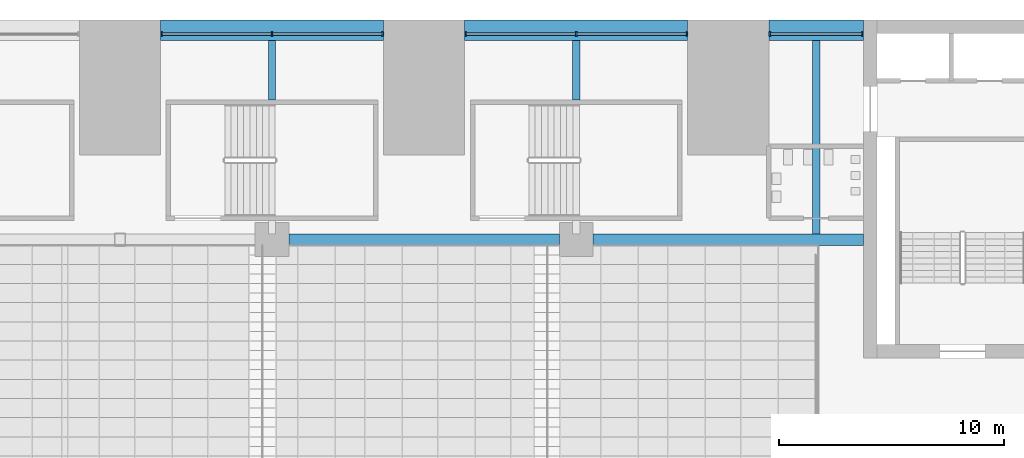
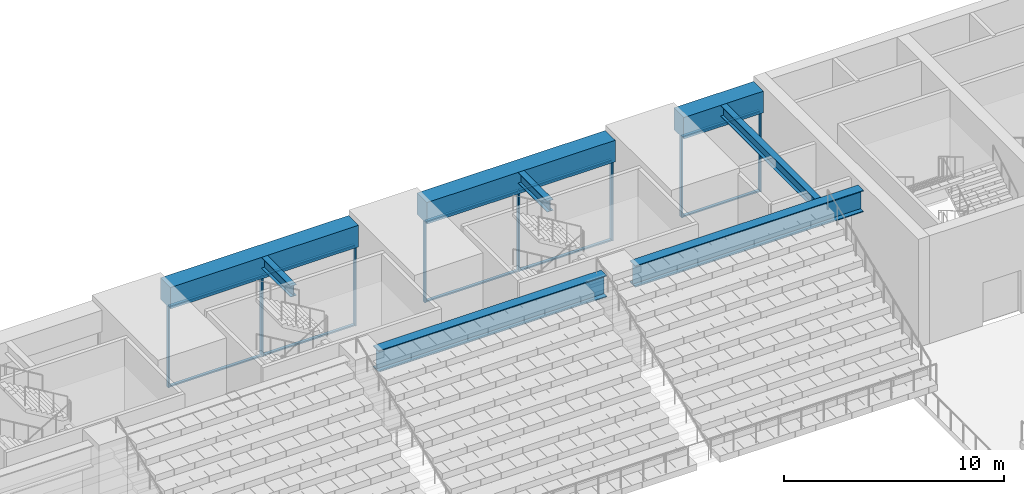
# One storey, part 11 of 61: 18 members, 8 beams, 3 elements without a shape of their own.
"""IFC4 building model written with IfcOpenShell, lengths in metres."""

from ifc_helpers import new_model, si_unit, direction, frame, origin, origin_2d, place, context, subcontext, project, spatial, rectangle, i_section, extrude, material, layer, layer_set, material_profile, profile_set, type_object, element, aggregate, save


model = new_model("IFC4")

# Units and contexts
model_context = context("Model", 3, precision=1e-05, world=origin(), true_north=direction((0.0, 1.0)))
body_context = subcontext(model_context, "Body", "Model", "MODEL_VIEW")
ifc_project = project(units=[si_unit("LENGTHUNIT", "METRE"), si_unit("AREAUNIT", "SQUARE_METRE"), si_unit("VOLUMEUNIT", "CUBIC_METRE"), si_unit("PLANEANGLEUNIT", "RADIAN"), si_unit("MASSUNIT", "GRAM", prefix="KILO")], contexts=[model_context])

# Site, building, storey
site_placement = place(None, origin())
site = spatial("IfcSite", under=ifc_project, at=site_placement, CompositionType="ELEMENT")
building_placement = place(site_placement, origin())
building = spatial("IfcBuilding", under=site, at=building_placement, Name="Corbelhall Arena Tower", CompositionType="ELEMENT")
storey_placement = place(building_placement, frame((0.0, 0.0, 31.0)))
storey = spatial("IfcBuildingStorey", under=building, at=storey_placement, Name="L04", CompositionType="ELEMENT", Elevation=31.0)

# Curtain wall, members
ifc_material_1 = material(Name="Aluminium black anodised", Category="aluminium")
ifc_layer = layer(ifc_material_1, 0.239990234375)
ifc_layer_set = layer_set([ifc_layer], Name="EV-CW4 Arena concourse glazing")
curtain_wall_type = type_object("IfcCurtainWallType", Name="EV-CW4 Arena concourse glazing", PredefinedType="NOTDEFINED", material=ifc_layer_set)
curtain_wall_1_placement = place(storey_placement, origin())
curtain_wall_1 = element("IfcCurtainWall", 1, at=curtain_wall_1_placement, inside=storey, type_object=curtain_wall_type, Name="Curtain wall CW4A", PredefinedType="NOTDEFINED")
ifc_material_profile_1 = material_profile(ifc_material_1, rectangle(XDim=0.199951171875, YDim=0.074951171875, at=origin_2d()))
ifc_profile_set_1 = profile_set([ifc_material_profile_1], Name="Aluminium black anodised")
member_type_1 = type_object("IfcMemberType", Name="EV-CW4-MULLION", PredefinedType="MULLION", material=ifc_profile_set_1)
member_1_placement = place(storey_placement, frame((32.96240234375, 38.3798828125, 0.0), z_axis=(0.0, 0.0, 1.0), x_axis=(0.0, -1.0, 0.0)))
member_1 = element("IfcMember", 2, at=member_1_placement, type_object=member_type_1, Name="CW4A mullion 1", PredefinedType="MULLION", context=body_context, shape_type="SweptSolid", body=[
    extrude(rectangle(XDim=0.199951171875, YDim=0.074951171875, at=origin_2d()), origin(), (0.0, 0.0, 1.0), 4.5),
])
member_2_placement = place(storey_placement, frame((28.83740234375, 38.3798828125, 0.0), z_axis=(0.0, 0.0, 1.0), x_axis=(0.0, -1.0, 0.0)))
member_2 = element("IfcMember", 3, at=member_2_placement, type_object=member_type_1, Name="CW4A mullion 2", PredefinedType="MULLION", context=body_context, shape_type="SweptSolid", body=[
    extrude(rectangle(XDim=0.199951171875, YDim=0.074951171875, at=origin_2d()), origin(), (0.0, 0.0, 1.0), 4.5),
])

curtain_wall_2_placement = place(storey_placement, origin())
curtain_wall_2 = element("IfcCurtainWall", 4, at=curtain_wall_2_placement, inside=storey, type_object=curtain_wall_type, Name="Curtain wall CW4", PredefinedType="NOTDEFINED")
member_3_placement = place(storey_placement, frame((25.16259765625, 38.3798828125, 0.0), z_axis=(0.0, 0.0, 1.0), x_axis=(0.0, -1.0, 0.0)))
member_3 = element("IfcMember", 5, at=member_3_placement, type_object=member_type_1, Name="CW4 mullion 1", PredefinedType="MULLION", context=body_context, shape_type="SweptSolid", body=[
    extrude(rectangle(XDim=0.199951171875, YDim=0.074951171875, at=origin_2d()), origin(), (0.0, 0.0, 1.0), 4.5),
])
member_4_placement = place(storey_placement, frame((20.25, 38.3798828125, 0.0), z_axis=(0.0, 0.0, 1.0), x_axis=(0.0, -1.0, 0.0)))
member_4 = element("IfcMember", 6, at=member_4_placement, type_object=member_type_1, Name="CW4 mullion 2", PredefinedType="MULLION", context=body_context, shape_type="SweptSolid", body=[
    extrude(rectangle(XDim=0.199951171875, YDim=0.074951171875, at=origin_2d()), origin(), (0.0, 0.0, 1.0), 4.5),
])
member_5_placement = place(storey_placement, frame((15.33740234375, 38.3798828125, 0.0), z_axis=(0.0, 0.0, 1.0), x_axis=(0.0, -1.0, 0.0)))
member_5 = element("IfcMember", 7, at=member_5_placement, type_object=member_type_1, Name="CW4 mullion 3", PredefinedType="MULLION", context=body_context, shape_type="SweptSolid", body=[
    extrude(rectangle(XDim=0.199951171875, YDim=0.074951171875, at=origin_2d()), origin(), (0.0, 0.0, 1.0), 4.5),
])

curtain_wall_3_placement = place(storey_placement, origin())
curtain_wall_3 = element("IfcCurtainWall", 8, at=curtain_wall_3_placement, inside=storey, type_object=curtain_wall_type, Name="Curtain wall CW4", PredefinedType="NOTDEFINED")
member_6_placement = place(storey_placement, frame((11.66259765625, 38.3798828125, 0.0), z_axis=(0.0, 0.0, 1.0), x_axis=(0.0, -1.0, 0.0)))
member_6 = element("IfcMember", 9, at=member_6_placement, type_object=member_type_1, Name="CW4 mullion 1", PredefinedType="MULLION", context=body_context, shape_type="SweptSolid", body=[
    extrude(rectangle(XDim=0.199951171875, YDim=0.074951171875, at=origin_2d()), origin(), (0.0, 0.0, 1.0), 4.5),
])
member_7_placement = place(storey_placement, frame((6.75, 38.3798828125, 0.0), z_axis=(0.0, 0.0, 1.0), x_axis=(0.0, -1.0, 0.0)))
member_7 = element("IfcMember", 10, at=member_7_placement, type_object=member_type_1, Name="CW4 mullion 2", PredefinedType="MULLION", context=body_context, shape_type="SweptSolid", body=[
    extrude(rectangle(XDim=0.199951171875, YDim=0.074951171875, at=origin_2d()), origin(), (0.0, 0.0, 1.0), 4.5),
])
member_8_placement = place(storey_placement, frame((1.83740234375, 38.3798828125, 0.0), z_axis=(0.0, 0.0, 1.0), x_axis=(0.0, -1.0, 0.0)))
member_8 = element("IfcMember", 11, at=member_8_placement, type_object=member_type_1, Name="CW4 mullion 3", PredefinedType="MULLION", context=body_context, shape_type="SweptSolid", body=[
    extrude(rectangle(XDim=0.199951171875, YDim=0.074951171875, at=origin_2d()), origin(), (0.0, 0.0, 1.0), 4.5),
])

# Member
ifc_material_profile_2 = material_profile(ifc_material_1, rectangle(XDim=0.14990234375, YDim=0.074951171875, at=origin_2d()))
ifc_profile_set_2 = profile_set([ifc_material_profile_2], Name="Aluminium black anodised")
member_type_2 = type_object("IfcMemberType", Name="EV-CW4-TRANSOM", PredefinedType="USERDEFINED", material=ifc_profile_set_2)
member_9_placement = place(storey_placement, frame((32.925048828125, 38.3798828125, 0.03759765625), z_axis=(-1.0, 0.0, 0.0), x_axis=(0.0, -1.0, 0.0)))
member_9 = element("IfcMember", 12, at=member_9_placement, type_object=member_type_2, Name="CW4A transom 1.1", ObjectType="transom", PredefinedType="USERDEFINED", context=body_context, shape_type="SweptSolid", body=[
    extrude(rectangle(XDim=0.14990234375, YDim=0.074951171875, at=origin_2d()), origin(), (0.0, 0.0, 1.0), 4.050048828125),
])

member_10_placement = place(storey_placement, frame((32.925048828125, 38.3798828125, 4.46240234375), z_axis=(-1.0, 0.0, 0.0), x_axis=(0.0, -1.0, 0.0)))
member_10 = element("IfcMember", 13, at=member_10_placement, type_object=member_type_2, Name="CW4A transom 1.2", ObjectType="transom", PredefinedType="USERDEFINED", context=body_context, shape_type="SweptSolid", body=[
    extrude(rectangle(XDim=0.14990234375, YDim=0.074951171875, at=origin_2d()), origin(), (0.0, 0.0, 1.0), 4.050048828125),
])

aggregate(curtain_wall_1, [member_1, member_2, member_9, member_10])

member_11_placement = place(storey_placement, frame((25.125, 38.3798828125, 0.03759765625), z_axis=(-1.0, 0.0, 0.0), x_axis=(0.0, -1.0, 0.0)))
member_11 = element("IfcMember", 14, at=member_11_placement, type_object=member_type_2, Name="CW4 transom 1.1", ObjectType="transom", PredefinedType="USERDEFINED", context=body_context, shape_type="SweptSolid", body=[
    extrude(rectangle(XDim=0.14990234375, YDim=0.074951171875, at=origin_2d()), origin(), (0.0, 0.0, 1.0), 4.83740234375),
])

member_12_placement = place(storey_placement, frame((25.125, 38.3798828125, 4.46240234375), z_axis=(-1.0, 0.0, 0.0), x_axis=(0.0, -1.0, 0.0)))
member_12 = element("IfcMember", 15, at=member_12_placement, type_object=member_type_2, Name="CW4 transom 1.2", ObjectType="transom", PredefinedType="USERDEFINED", context=body_context, shape_type="SweptSolid", body=[
    extrude(rectangle(XDim=0.14990234375, YDim=0.074951171875, at=origin_2d()), origin(), (0.0, 0.0, 1.0), 4.83740234375),
])

member_13_placement = place(storey_placement, frame((20.21240234375, 38.3798828125, 0.03759765625), z_axis=(-1.0, 0.0, 0.0), x_axis=(0.0, -1.0, 0.0)))
member_13 = element("IfcMember", 16, at=member_13_placement, type_object=member_type_2, Name="CW4 transom 2.1", ObjectType="transom", PredefinedType="USERDEFINED", context=body_context, shape_type="SweptSolid", body=[
    extrude(rectangle(XDim=0.14990234375, YDim=0.074951171875, at=origin_2d()), origin(), (0.0, 0.0, 1.0), 4.83740234375),
])

member_14_placement = place(storey_placement, frame((20.21240234375, 38.3798828125, 4.46240234375), z_axis=(-1.0, 0.0, 0.0), x_axis=(0.0, -1.0, 0.0)))
member_14 = element("IfcMember", 17, at=member_14_placement, type_object=member_type_2, Name="CW4 transom 2.2", ObjectType="transom", PredefinedType="USERDEFINED", context=body_context, shape_type="SweptSolid", body=[
    extrude(rectangle(XDim=0.14990234375, YDim=0.074951171875, at=origin_2d()), origin(), (0.0, 0.0, 1.0), 4.83740234375),
])

aggregate(curtain_wall_2, [member_3, member_4, member_5, member_11, member_12, member_13, member_14])

member_15_placement = place(storey_placement, frame((11.625, 38.3798828125, 0.03759765625), z_axis=(-1.0, 0.0, 0.0), x_axis=(0.0, -1.0, 0.0)))
member_15 = element("IfcMember", 18, at=member_15_placement, type_object=member_type_2, Name="CW4 transom 1.1", ObjectType="transom", PredefinedType="USERDEFINED", context=body_context, shape_type="SweptSolid", body=[
    extrude(rectangle(XDim=0.14990234375, YDim=0.074951171875, at=origin_2d()), origin(), (0.0, 0.0, 1.0), 4.83740234375),
])

member_16_placement = place(storey_placement, frame((11.625, 38.3798828125, 4.46240234375), z_axis=(-1.0, 0.0, 0.0), x_axis=(0.0, -1.0, 0.0)))
member_16 = element("IfcMember", 19, at=member_16_placement, type_object=member_type_2, Name="CW4 transom 1.2", ObjectType="transom", PredefinedType="USERDEFINED", context=body_context, shape_type="SweptSolid", body=[
    extrude(rectangle(XDim=0.14990234375, YDim=0.074951171875, at=origin_2d()), origin(), (0.0, 0.0, 1.0), 4.83740234375),
])

member_17_placement = place(storey_placement, frame((6.71240234375, 38.3798828125, 0.03759765625), z_axis=(-1.0, 0.0, 0.0), x_axis=(0.0, -1.0, 0.0)))
member_17 = element("IfcMember", 20, at=member_17_placement, type_object=member_type_2, Name="CW4 transom 2.1", ObjectType="transom", PredefinedType="USERDEFINED", context=body_context, shape_type="SweptSolid", body=[
    extrude(rectangle(XDim=0.14990234375, YDim=0.074951171875, at=origin_2d()), origin(), (0.0, 0.0, 1.0), 4.83740234375),
])

member_18_placement = place(storey_placement, frame((6.71240234375, 38.3798828125, 4.46240234375), z_axis=(-1.0, 0.0, 0.0), x_axis=(0.0, -1.0, 0.0)))
member_18 = element("IfcMember", 21, at=member_18_placement, type_object=member_type_2, Name="CW4 transom 2.2", ObjectType="transom", PredefinedType="USERDEFINED", context=body_context, shape_type="SweptSolid", body=[
    extrude(rectangle(XDim=0.14990234375, YDim=0.074951171875, at=origin_2d()), origin(), (0.0, 0.0, 1.0), 4.83740234375),
])

aggregate(curtain_wall_3, [member_6, member_7, member_8, member_15, member_16, member_17, member_18])

# Beams
ifc_material_2 = material(Name="Steel ASTM A992 Gr50", Category="steel")
ifc_material_profile_3 = material_profile(ifc_material_2, i_section(OverallWidth=0.323974609375, OverallDepth=0.611083984375, WebThickness=0.0126953125, FlangeThickness=0.01904296875, at=origin_2d()))
ifc_profile_set_3 = profile_set([ifc_material_profile_3], Name="Steel ASTM A992 Gr50")
beam_type_1 = type_object("IfcBeamType", Name="PO-BEAM-W24X104", PredefinedType="BEAM", material=ifc_profile_set_3)
for number, where, z_axis, x_axis, name in (
    (22, (6.75, 35.449951171875, 5.39453125), (0.0, 1.0, 0.0), (-1.0, 0.0, 0.0), "CONCOURSE BEAM"),
    (23, (20.25, 35.449951171875, 5.39453125), (0.0, 1.0, 0.0), (-1.0, 0.0, 0.0), "CONCOURSE BEAM"),
):
    element("IfcBeam", number, at=place(storey_placement, frame(where, z_axis=z_axis, x_axis=x_axis)), inside=storey, type_object=beam_type_1, Name=name, PredefinedType="BEAM", context=body_context, shape_type="SweptSolid", body=[
        extrude(i_section(OverallWidth=0.323974609375, OverallDepth=0.611083984375, WebThickness=0.0126953125, FlangeThickness=0.01904296875, at=origin_2d()), origin(), (0.0, 0.0, 1.0), 2.650146484375),
    ])
beam_1_placement = place(storey_placement, frame((30.89990234375, 29.5, 5.39453125), z_axis=(0.0, 1.0, 0.0), x_axis=(-1.0, 0.0, 0.0)))
element("IfcBeam", 24, at=beam_1_placement, inside=storey, type_object=beam_type_1, Name="CONCOURSE BEAM", PredefinedType="BEAM", context=body_context, shape_type="SweptSolid", body=[
    extrude(i_section(OverallWidth=0.323974609375, OverallDepth=0.611083984375, WebThickness=0.0126953125, FlangeThickness=0.01904296875, at=origin_2d()), origin(), (0.0, 0.0, 1.0), 8.60009765625),
])
ifc_material_3 = material(Name="Steel ASTM A572 Gr50", Category="steel")
ifc_material_profile_4 = material_profile(ifc_material_3, i_section(OverallWidth=0.5, OverallDepth=1.199951171875, WebThickness=0.02490234375, FlangeThickness=0.044921875, at=origin_2d()))
ifc_profile_set_4 = profile_set([ifc_material_profile_4], Name="Steel ASTM A572 Gr50")
beam_type_2 = type_object("IfcBeamType", Name="PO-GIRDER-PG1200X500X25X45", PredefinedType="BEAM", material=ifc_profile_set_4)
for number, where, z_axis, x_axis, name in (
    (25, (7.5, 29.25, 5.10009765625), (1.0, 0.0, 0.0), (0.0, 1.0, 0.0), "RING GIRDER"),
    (26, (21.0, 29.25, 5.10009765625), (1.0, 0.0, 0.0), (0.0, 1.0, 0.0), "RING GIRDER"),
):
    element("IfcBeam", number, at=place(storey_placement, frame(where, z_axis=z_axis, x_axis=x_axis)), inside=storey, type_object=beam_type_2, Name=name, PredefinedType="BEAM", context=body_context, shape_type="SweptSolid", body=[
        extrude(i_section(OverallWidth=0.5, OverallDepth=1.199951171875, WebThickness=0.02490234375, FlangeThickness=0.044921875, at=origin_2d()), origin(), (0.0, 0.0, 1.0), 12.0),
    ])
ifc_material_4 = material(Name="Concrete C80/95", Category="concrete")
ifc_material_profile_5 = material_profile(ifc_material_4, rectangle(XDim=0.89990234375, YDim=1.199951171875, at=origin_2d()))
ifc_profile_set_5 = profile_set([ifc_material_profile_5], Name="Concrete C80/95")
beam_type_3 = type_object("IfcBeamType", Name="PO-RING-BEAM", PredefinedType="BEAM", material=ifc_profile_set_5)
for number, where, z_axis, x_axis, name in (
    (27, (1.800048828125, 38.550048828125, 5.10009765625), (1.0, 0.0, 0.0), (0.0, 1.0, 0.0), "RING GIRDER L05 N4"),
    (28, (15.300048828125, 38.550048828125, 5.10009765625), (1.0, 0.0, 0.0), (0.0, 1.0, 0.0), "RING GIRDER L05 N5"),
):
    element("IfcBeam", number, at=place(storey_placement, frame(where, z_axis=z_axis, x_axis=x_axis)), inside=storey, type_object=beam_type_3, Name=name, PredefinedType="BEAM", context=body_context, shape_type="SweptSolid", body=[
        extrude(rectangle(XDim=0.89990234375, YDim=1.199951171875, at=origin_2d()), origin(), (0.0, 0.0, 1.0), 9.89990234375),
    ])
beam_2_placement = place(storey_placement, frame((28.800048828125, 38.550048828125, 5.10009765625), z_axis=(1.0, 0.0, 0.0), x_axis=(0.0, 1.0, 0.0)))
element("IfcBeam", 29, at=beam_2_placement, inside=storey, type_object=beam_type_3, Name="RING GIRDER L05 N6", PredefinedType="BEAM", context=body_context, shape_type="SweptSolid", body=[
    extrude(rectangle(XDim=0.89990234375, YDim=1.199951171875, at=origin_2d()), origin(), (0.0, 0.0, 1.0), 4.199951171875),
])

save(model, "model.ifc")
